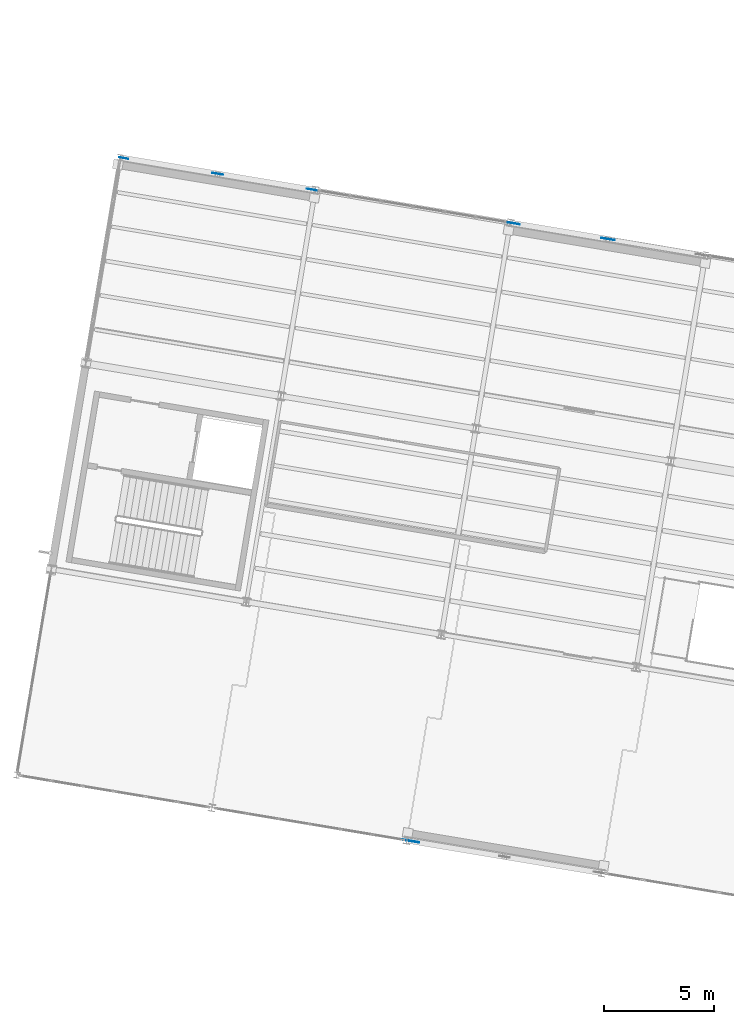
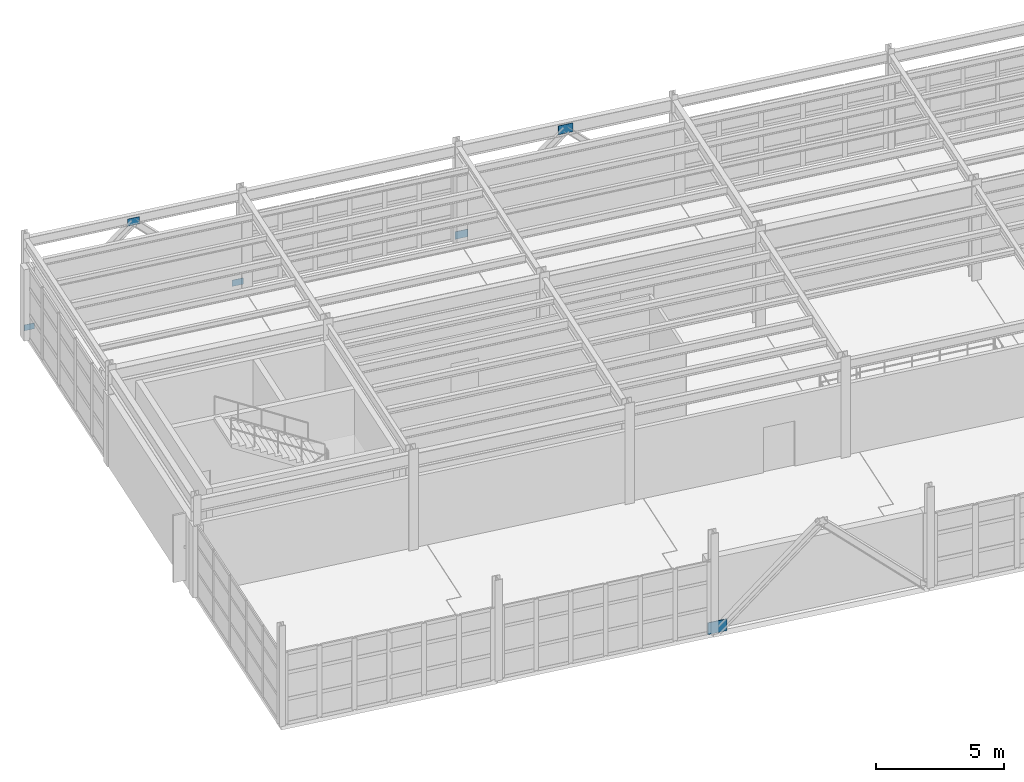
# One storey, part 80 of 102: 6 plates.
"""IFC4 building model written with IfcOpenShell, lengths in metres."""

from ifc_helpers import new_model, si_unit, direction, frame, origin, origin_2d, place, context, subcontext, project, spatial, rectangle, extrude, material, layer, layer_set, type_object, element, save


model = new_model("IFC4")

# Units and contexts
model_context = context("Model", 3, precision=1e-05, world=origin(), true_north=direction((0.0, 1.0)))
body_context = subcontext(model_context, "Body", "Model", "MODEL_VIEW")
ifc_project = project(units=[si_unit("LENGTHUNIT", "METRE"), si_unit("AREAUNIT", "SQUARE_METRE"), si_unit("VOLUMEUNIT", "CUBIC_METRE"), si_unit("PLANEANGLEUNIT", "RADIAN"), si_unit("MASSUNIT", "GRAM", prefix="KILO")], contexts=[model_context])

# Site, building, storey
site_placement = place(None, origin())
site = spatial("IfcSite", under=ifc_project, at=site_placement, CompositionType="ELEMENT")
building_placement = place(site_placement, origin())
building = spatial("IfcBuilding", under=site, at=building_placement, Name="Vireo Bluff Cable Station", CompositionType="ELEMENT")
storey_placement = place(building_placement, frame((0.0, 0.0, 9.60009765625)))
storey = spatial("IfcBuildingStorey", under=building, at=storey_placement, Name="L02", CompositionType="ELEMENT", Elevation=9.60009765625)

# Plates
ifc_material = material(Name="Steel ASTM A572 Gr. 50", Category="steel")
ifc_layer_1 = layer(ifc_material, 0.01611328125, Name="Steel ASTM A572 Gr. 50")
ifc_layer_set_1 = layer_set([ifc_layer_1], Name="Steel ASTM A572 Gr. 50")
plate_type_1 = type_object("IfcPlateType", Name="GUSSET-420X280X16", PredefinedType="USERDEFINED", material=ifc_layer_set_1)
plate_1_placement = place(storey_placement, frame((10.361572265625, 99.582763671875, 0.080078125), z_axis=(0.0, 0.0, 1.0), x_axis=(0.986285601537, -0.165047605861, 0.0)))
element("IfcPlate", 1, at=plate_1_placement, inside=storey, type_object=plate_type_1, Name="V4 L02 brace base gusset plate 200", ObjectType="GUSSET PLATE", PredefinedType="USERDEFINED", context=body_context, shape_type="SweptSolid", body=[
    extrude(rectangle(XDim=0.419921875, YDim=0.01611328125, at=origin_2d()), origin(), (0.0, 0.0, 1.0), 0.280029296875),
])
ifc_layer_2 = layer(ifc_material, 0.01806640625, Name="Steel ASTM A572 Gr. 50")
ifc_layer_set_2 = layer_set([ifc_layer_2], Name="Steel ASTM A572 Gr. 50")
plate_type_2 = type_object("IfcPlateType", Name="GUSSET-460X300X18", PredefinedType="USERDEFINED", material=ifc_layer_set_2)
plate_2_placement = place(storey_placement, frame((18.922607421875, 98.150146484375, 0.06982421875), z_axis=(0.0, 0.0, 1.0), x_axis=(0.986285601537, -0.165047605861, 0.0)))
element("IfcPlate", 2, at=plate_2_placement, inside=storey, type_object=plate_type_2, Name="V4 L02 brace base gusset plate 201", ObjectType="GUSSET PLATE", PredefinedType="USERDEFINED", context=body_context, shape_type="SweptSolid", body=[
    extrude(rectangle(XDim=0.4599609375, YDim=0.01806640625, at=origin_2d()), origin(), (0.0, 0.0, 1.0), 0.300048828125),
])
ifc_layer_3 = layer(ifc_material, 0.02001953125, Name="Steel ASTM A572 Gr. 50")
ifc_layer_set_3 = layer_set([ifc_layer_3], Name="Steel ASTM A572 Gr. 50")
plate_type_3 = type_object("IfcPlateType", Name="GUSSET-500X340X20", PredefinedType="USERDEFINED", material=ifc_layer_set_3)
plate_3_placement = place(storey_placement, frame((14.64208984375, 98.866455078125, 4.009765625), z_axis=(0.0, 0.0, 1.0), x_axis=(0.986285601537, -0.165047605861, 0.0)))
element("IfcPlate", 3, at=plate_3_placement, inside=storey, type_object=plate_type_3, Name="V4 L02 chevron gusset plate 202", ObjectType="GUSSET PLATE", PredefinedType="USERDEFINED", context=body_context, shape_type="SweptSolid", body=[
    extrude(rectangle(XDim=0.5, YDim=0.02001953125, at=origin_2d()), origin(), (0.0, 0.0, 1.0), 0.340087890625),
])
ifc_layer_4 = layer(ifc_material, 0.02197265625, Name="Steel ASTM A572 Gr. 50")
ifc_layer_set_4 = layer_set([ifc_layer_4], Name="Steel ASTM A572 Gr. 50")
plate_type_4 = type_object("IfcPlateType", Name="GUSSET-540X360X22", PredefinedType="USERDEFINED", material=ifc_layer_set_4)
plate_4_placement = place(storey_placement, frame((28.11474609375, 96.61181640625, 0.0400390625), z_axis=(0.0, 0.0, 1.0), x_axis=(0.986285601537, -0.165047605861, 0.0)))
element("IfcPlate", 4, at=plate_4_placement, inside=storey, type_object=plate_type_4, Name="V4 L02 brace base gusset plate 203", ObjectType="GUSSET PLATE", PredefinedType="USERDEFINED", context=body_context, shape_type="SweptSolid", body=[
    extrude(rectangle(XDim=0.5400390625, YDim=0.02197265625, at=origin_2d()), origin(), (0.0, 0.0, 1.0), 0.360107421875),
])
ifc_layer_5 = layer(ifc_material, 0.02490234375, Name="Steel ASTM A572 Gr. 50")
ifc_layer_set_5 = layer_set([ifc_layer_5], Name="Steel ASTM A572 Gr. 50")
plate_type_5 = type_object("IfcPlateType", Name="GUSSET-620X420X25", PredefinedType="USERDEFINED", material=ifc_layer_set_5)
plate_5_placement = place(storey_placement, frame((32.395263671875, 95.8955078125, 3.969970703125), z_axis=(0.0, 0.0, 1.0), x_axis=(0.986285601537, -0.165047605861, 0.0)))
element("IfcPlate", 5, at=plate_5_placement, inside=storey, type_object=plate_type_5, Name="V4 L02 chevron gusset plate 205", ObjectType="GUSSET PLATE", PredefinedType="USERDEFINED", context=body_context, shape_type="SweptSolid", body=[
    extrude(rectangle(XDim=0.6201171875, YDim=0.02490234375, at=origin_2d()), origin(), (0.0, 0.0, 1.0), 0.419921875),
])
ifc_layer_6 = layer(ifc_material, 0.034912109375, Name="Steel ASTM A572 Gr. 50")
ifc_layer_set_6 = layer_set([ifc_layer_6], Name="Steel ASTM A572 Gr. 50")
plate_type_6 = type_object("IfcPlateType", Name="GUSSET-800X560X35", PredefinedType="USERDEFINED", material=ifc_layer_set_6)
plate_6_placement = place(storey_placement, frame((23.410888671875, 68.502685546875, -0.06005859375), z_axis=(0.0, 0.0, 1.0), x_axis=(0.986285601537, -0.165047605861, 0.0)))
element("IfcPlate", 6, at=plate_6_placement, inside=storey, type_object=plate_type_6, Name="V4 L02 brace base gusset plate 209", ObjectType="GUSSET PLATE", PredefinedType="USERDEFINED", context=body_context, shape_type="SweptSolid", body=[
    extrude(rectangle(XDim=0.800048828125, YDim=0.034912109375, at=origin_2d()), origin(), (0.0, 0.0, 1.0), 0.56005859375),
])

save(model, "model.ifc")
